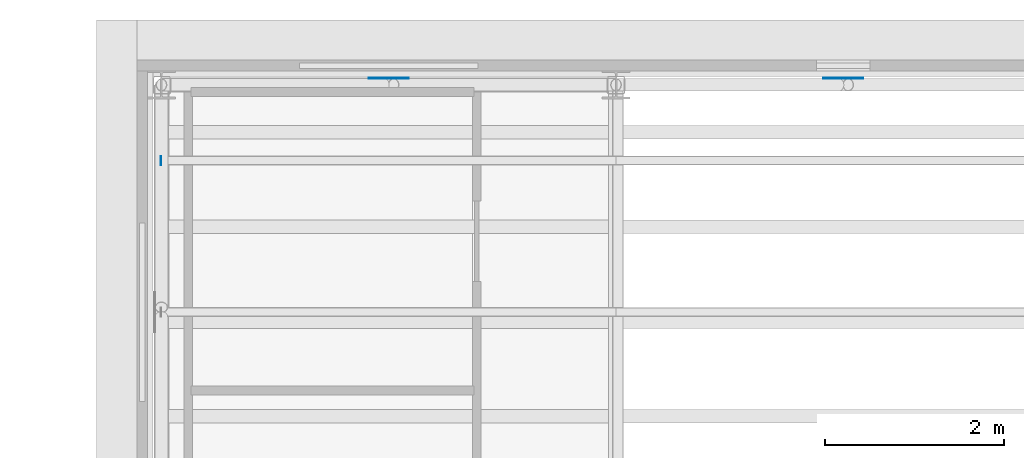
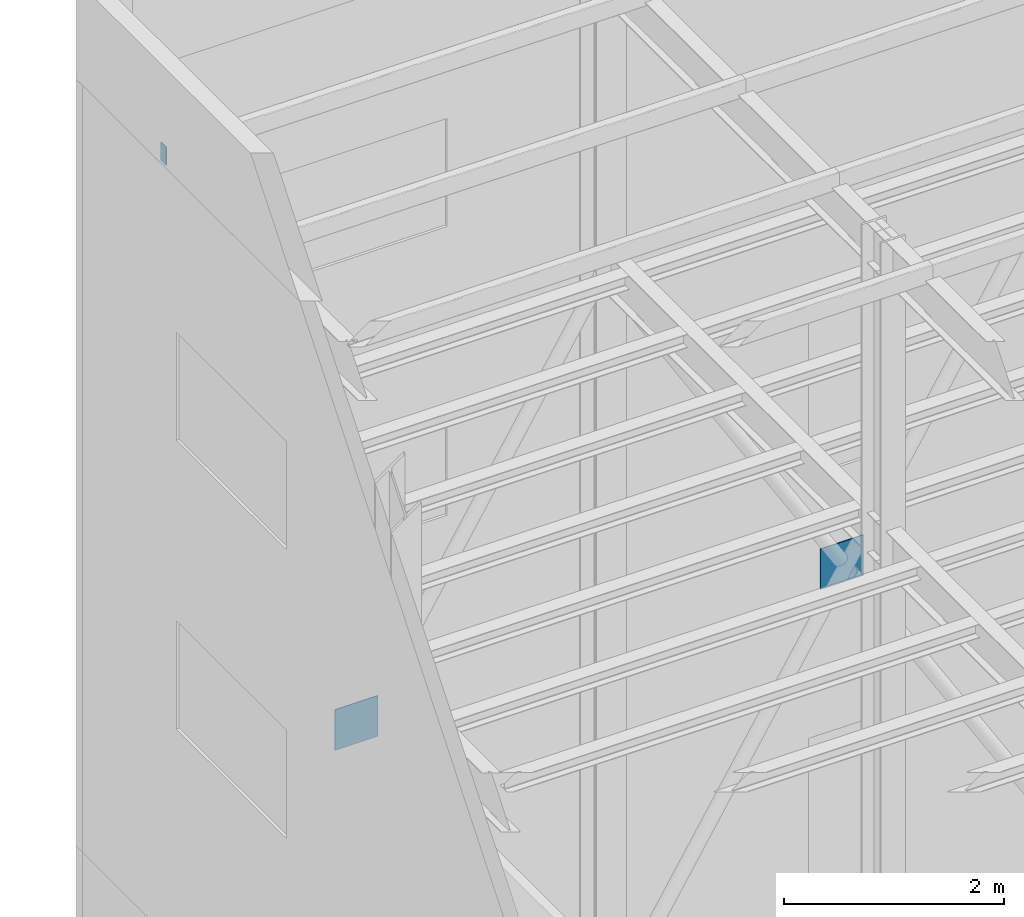
# One storey, part 14 of 22: 3 plates.
"""IFC4 building model written with IfcOpenShell, lengths in metres."""

from ifc_helpers import new_model, si_unit, direction, frame, origin, origin_2d, place, context, subcontext, project, spatial, rectangle, extrude, material, layer, layer_set, type_object, element, save


model = new_model("IFC4")

# Units and contexts
model_context = context("Model", 3, precision=1e-05, world=origin(), true_north=direction((0.0, 1.0)))
body_context = subcontext(model_context, "Body", "Model", "MODEL_VIEW")
ifc_project = project(units=[si_unit("LENGTHUNIT", "METRE"), si_unit("AREAUNIT", "SQUARE_METRE"), si_unit("VOLUMEUNIT", "CUBIC_METRE"), si_unit("PLANEANGLEUNIT", "RADIAN"), si_unit("MASSUNIT", "GRAM", prefix="KILO")], contexts=[model_context])

# Site, building, storey
site_placement = place(None, origin())
site = spatial("IfcSite", under=ifc_project, at=site_placement, CompositionType="ELEMENT")
building_placement = place(site_placement, origin())
building = spatial("IfcBuilding", under=site, at=building_placement, Name="Tide Square Theatres", CompositionType="ELEMENT")
storey_placement = place(building_placement, frame((0.0, 0.0, 24.0)))
storey = spatial("IfcBuildingStorey", under=building, at=storey_placement, Name="L05", CompositionType="ELEMENT", Elevation=24.0)

# Plates
ifc_material = material(Name="Steel ASTM A572 Grade 50", Category="steel")
ifc_layer = layer(ifc_material, 0.010009765625)
ifc_layer_set = layer_set([ifc_layer], Name="Steel ASTM A572 Grade 50")
plate_type = type_object("IfcPlateType", Name="Steel end plate 10 thick", PredefinedType="USERDEFINED", material=ifc_layer_set)
plate_placement = place(storey_placement, frame((71.27099609375, 80.875732421875, 12.16015625), z_axis=(0.0, 0.0, 1.0), x_axis=(-1.0, 0.0, 0.0)))
element("IfcPlate", 1, at=plate_placement, inside=storey, type_object=plate_type, Name="Tower roof purlin end plate", ObjectType="END PLATE", PredefinedType="USERDEFINED", context=body_context, shape_type="SweptSolid", body=[
    extrude(rectangle(XDim=0.010009765625, YDim=0.10009765625, at=origin_2d()), origin(), (0.0, 0.0, 1.0), 0.199951171875),
])
for number, where, z_axis, x_axis, name in (
    (2, (73.82080078125, 81.797607421875, 4.27490234375), (0.0, 0.0, 1.0), (0.0, 1.0, 0.0), "Fly tower brace crossing node plate"),
    (3, (78.910400390625, 81.797607421875, 4.27490234375), (0.0, 0.0, 1.0), (0.0, 1.0, 0.0), "Fly tower brace crossing node plate"),
):
    element("IfcPlate", number, at=place(storey_placement, frame(where, z_axis=z_axis, x_axis=x_axis)), inside=storey, type_object=plate_type, Name=name, ObjectType="END PLATE", PredefinedType="USERDEFINED", context=body_context, shape_type="SweptSolid", body=[
        extrude(rectangle(XDim=0.010009765625, YDim=0.449951171875, at=origin_2d()), origin(), (0.0, 0.0, 1.0), 0.449951171875),
    ])

save(model, "model.ifc")
